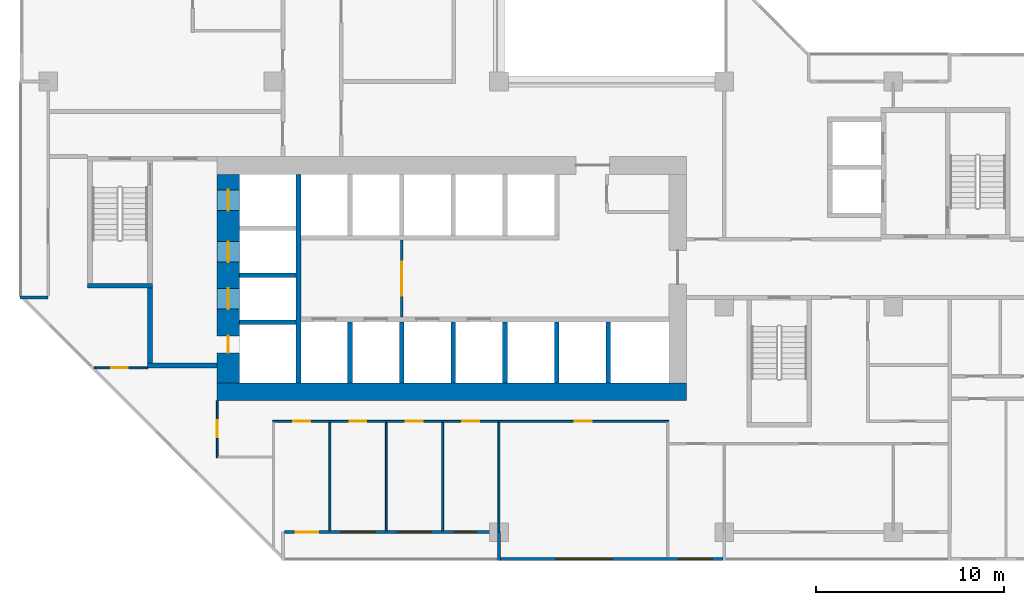
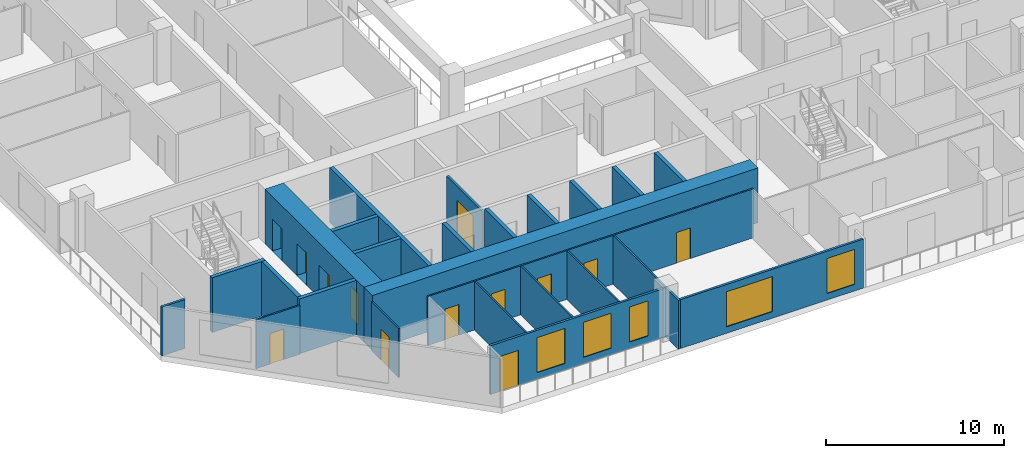
# One storey, part 4 of 15: 26 walls, 13 doors, 5 windows, 18 openings.
"""IFC4 building model written with IfcOpenShell, lengths in metres."""

from ifc_helpers import new_model, si_unit, direction, frame, frame_2d, origin, place, context, subcontext, project, spatial, rectangle, extrude, material, layer, layer_set, type_object, element, fill, save


model = new_model("IFC4")

# Units and contexts
model_context = context("Model", 3, precision=1e-05, world=origin(), true_north=direction((0.0, 1.0)))
body_context = subcontext(model_context, "Body", "Model", "MODEL_VIEW")
ifc_project = project(units=[si_unit("LENGTHUNIT", "METRE"), si_unit("AREAUNIT", "SQUARE_METRE"), si_unit("VOLUMEUNIT", "CUBIC_METRE"), si_unit("PLANEANGLEUNIT", "RADIAN"), si_unit("MASSUNIT", "GRAM", prefix="KILO")], contexts=[model_context])

# Site, building, storey
site_placement = place(None, origin())
site = spatial("IfcSite", under=ifc_project, at=site_placement, CompositionType="ELEMENT")
building_placement = place(site_placement, origin())
building = spatial("IfcBuilding", under=site, at=building_placement, Name="Chenar Terraces", CompositionType="ELEMENT")
storey_placement = place(building_placement, frame((0.0, 0.0, 118.14990234375)))
storey = spatial("IfcBuildingStorey", under=building, at=storey_placement, Name="L27", CompositionType="ELEMENT", Elevation=118.14990234375)

# Wall, opening, door
ifc_material_1 = material(Name="Gypsum board on steel studs", Category="steel")
ifc_layer_1 = layer(ifc_material_1, 0.14990234375)
ifc_layer_set_1 = layer_set([ifc_layer_1], Name="Gypsum board on steel studs")
wall_type_1 = type_object("IfcWallType", Name="Core partition 150 gypsum board", PredefinedType="PARTITIONING", material=ifc_layer_set_1)
wall_1_placement = place(storey_placement, frame((18.824951171875, 11.449951171875, 0.0), z_axis=(0.0, 0.0, 1.0), x_axis=(0.0, 1.0, 0.0)))
wall_1 = element("IfcWall", 1, at=wall_1_placement, inside=storey, type_object=wall_type_1, Name="Core partition CP1 lift lobby smoke stop", PredefinedType="PARTITIONING", context=body_context, shape_type="SweptSolid", body=[
    extrude(rectangle(XDim=4.10009765625, YDim=0.14990234375, at=frame_2d((2.050048828125, 0.0))), origin(), (0.0, 0.0, 1.0), 3.35009765625),
])
opening_1_placement = place(wall_1_placement, frame((1.14990234375, 0.0, 0.0)))
opening_1 = element("IfcOpeningElement", 2, at=opening_1_placement, cuts=wall_1, Name="Opening DL27-C12", PredefinedType="OPENING", context=body_context, shape_type="SweptSolid", body=[
    extrude(rectangle(XDim=1.800048828125, YDim=2.39990234375, at=frame_2d((0.89990234375, 1.199951171875))), frame((0.0, 0.0849609375, 0.0), z_axis=(0.0, -1.0, 0.0), x_axis=(1.0, 0.0, 0.0)), (0.0, 0.0, 1.0), 0.169921875),
])
ifc_material_2 = material(Name="Steel-framed fire-resisting door leaf", Category="steel")
door_type_1 = type_object("IfcDoorType", Name="Core entrance double fire door FD60 1800 x 2400", OperationType="DOUBLE_DOOR_SINGLE_SWING", PredefinedType="DOOR", material=ifc_material_2)
door_1_placement = place(opening_1_placement, origin())
door_1 = element("IfcDoor", 3, at=door_1_placement, inside=storey, type_object=door_type_1, Name="Core door DL27-C12", OperationType="DOUBLE_DOOR_SINGLE_SWING", OverallHeight=2.39990234375, OverallWidth=1.800048828125, PredefinedType="DOOR", context=body_context, shape_type="SweptSolid", body=[
    extrude(rectangle(XDim=1.800048828125, YDim=2.39990234375, at=frame_2d((0.89990234375, 1.199951171875))), frame((0.0, 0.02490234375, 0.0), z_axis=(0.0, -1.0, 0.0), x_axis=(1.0, 0.0, 0.0)), (0.0, 0.0, 1.0), 0.050048828125),
])
fill(opening_1, door_1)

# Wall, openings, doors
ifc_material_3 = material(Name="Concrete C70/85", Category="concrete")
ifc_layer_2 = layer(ifc_material_3, 1.199951171875)
ifc_layer_set_2 = layer_set([ifc_layer_2], Name="Concrete C70/85")
wall_type_2 = type_object("IfcWallType", Name="Core wall 1200 Concrete C70/85", PredefinedType="SHEAR", material=ifc_layer_set_2)
wall_2_placement = place(storey_placement, frame((9.60009765625, 7.949951171875, 0.0), z_axis=(0.0, 0.0, 1.0), x_axis=(0.0, 1.0, 0.0)))
wall_2 = element("IfcWall", 4, at=wall_2_placement, inside=storey, type_object=wall_type_2, Name="Core wall W L27", PredefinedType="SHEAR", context=body_context, shape_type="SweptSolid", body=[
    extrude(rectangle(XDim=11.10009765625, YDim=1.199951171875, at=frame_2d((5.550048828125, 0.0))), origin(), (0.0, 0.0, 1.0), 3.75),
])
opening_2_placement = place(wall_2_placement, frame((3.925048828125, 0.0, 0.0)))
opening_2 = element("IfcOpeningElement", 5, at=opening_2_placement, cuts=wall_2, Name="Opening DL27-LD5", PredefinedType="OPENING", context=body_context, shape_type="SweptSolid", body=[
    extrude(rectangle(XDim=1.10009765625, YDim=2.199951171875, at=frame_2d((0.550048828125, 1.10009765625))), frame((0.0, 0.60986328125, 0.0), z_axis=(0.0, -1.0, 0.0), x_axis=(1.0, 0.0, 0.0)), (0.0, 0.0, 1.0), 1.219970703125),
])
opening_3_placement = place(wall_2_placement, frame((6.425048828125, 0.0, 0.0)))
opening_3 = element("IfcOpeningElement", 6, at=opening_3_placement, cuts=wall_2, Name="Opening DL27-LD6", PredefinedType="OPENING", context=body_context, shape_type="SweptSolid", body=[
    extrude(rectangle(XDim=1.10009765625, YDim=2.199951171875, at=frame_2d((0.550048828125, 1.10009765625))), frame((0.0, 0.60986328125, 0.0), z_axis=(0.0, -1.0, 0.0), x_axis=(1.0, 0.0, 0.0)), (0.0, 0.0, 1.0), 1.219970703125),
])
opening_4_placement = place(wall_2_placement, frame((9.175048828125, 0.0, 0.0)))
opening_4 = element("IfcOpeningElement", 7, at=opening_4_placement, cuts=wall_2, Name="Opening DL27-LD7", PredefinedType="OPENING", context=body_context, shape_type="SweptSolid", body=[
    extrude(rectangle(XDim=1.10009765625, YDim=2.199951171875, at=frame_2d((0.550048828125, 1.10009765625))), frame((0.0, 0.60986328125, 0.0), z_axis=(0.0, -1.0, 0.0), x_axis=(1.0, 0.0, 0.0)), (0.0, 0.0, 1.0), 1.219970703125),
])
opening_5_placement = place(wall_2_placement, frame((1.60009765625, 0.0, 0.0)))
opening_5 = element("IfcOpeningElement", 8, at=opening_5_placement, cuts=wall_2, Name="Opening DL27-C4", PredefinedType="OPENING", context=body_context, shape_type="SweptSolid", body=[
    extrude(rectangle(XDim=0.89990234375, YDim=2.10009765625, at=frame_2d((0.449951171875, 1.050048828125))), frame((0.0, 0.60986328125, 0.0), z_axis=(0.0, -1.0, 0.0), x_axis=(1.0, 0.0, 0.0)), (0.0, 0.0, 1.0), 1.219970703125),
])
ifc_material_4 = material(Name="Stainless steel", Category="steel")
door_type_2 = type_object("IfcDoorType", Name="Lift landing door 1100 x 2200 sliding", OperationType="DOUBLE_DOOR_SLIDING", PredefinedType="DOOR", material=ifc_material_4)
door_2_placement = place(opening_2_placement, origin())
door_2 = element("IfcDoor", 9, at=door_2_placement, inside=storey, type_object=door_type_2, Name="Landing door S1", OperationType="DOUBLE_DOOR_SLIDING", OverallHeight=2.199951171875, OverallWidth=1.10009765625, PredefinedType="DOOR", context=body_context, shape_type="SweptSolid", body=[
    extrude(rectangle(XDim=1.10009765625, YDim=2.199951171875, at=frame_2d((0.550048828125, 1.10009765625))), frame((0.0, 0.02490234375, 0.0), z_axis=(0.0, -1.0, 0.0), x_axis=(1.0, 0.0, 0.0)), (0.0, 0.0, 1.0), 0.050048828125),
])
fill(opening_2, door_2)
door_3_placement = place(opening_3_placement, origin())
door_3 = element("IfcDoor", 10, at=door_3_placement, inside=storey, type_object=door_type_2, Name="Landing door F1", OperationType="DOUBLE_DOOR_SLIDING", OverallHeight=2.199951171875, OverallWidth=1.10009765625, PredefinedType="DOOR", context=body_context, shape_type="SweptSolid", body=[
    extrude(rectangle(XDim=1.10009765625, YDim=2.199951171875, at=frame_2d((0.550048828125, 1.10009765625))), frame((0.0, 0.02490234375, 0.0), z_axis=(0.0, -1.0, 0.0), x_axis=(1.0, 0.0, 0.0)), (0.0, 0.0, 1.0), 0.050048828125),
])
fill(opening_3, door_3)
door_4_placement = place(opening_4_placement, origin())
door_4 = element("IfcDoor", 11, at=door_4_placement, inside=storey, type_object=door_type_2, Name="Landing door F2", OperationType="DOUBLE_DOOR_SLIDING", OverallHeight=2.199951171875, OverallWidth=1.10009765625, PredefinedType="DOOR", context=body_context, shape_type="SweptSolid", body=[
    extrude(rectangle(XDim=1.10009765625, YDim=2.199951171875, at=frame_2d((0.550048828125, 1.10009765625))), frame((0.0, 0.02490234375, 0.0), z_axis=(0.0, -1.0, 0.0), x_axis=(1.0, 0.0, 0.0)), (0.0, 0.0, 1.0), 0.050048828125),
])
fill(opening_4, door_4)
ifc_material_5 = material(Name="Steel-framed fire-resisting door leaf", Category="steel")
door_type_3 = type_object("IfcDoorType", Name="Riser fire door FD60 900 x 2100", OperationType="SINGLE_SWING_LEFT", PredefinedType="DOOR", material=ifc_material_5)
door_5_placement = place(opening_5_placement, frame((0.89990234375, 0.0, 0.0), z_axis=(0.0, 0.0, 1.0), x_axis=(-1.0, 0.0, 0.0)))
door_5 = element("IfcDoor", 12, at=door_5_placement, inside=storey, type_object=door_type_3, Name="Riser door DL27-C4", OperationType="SINGLE_SWING_LEFT", OverallHeight=2.10009765625, OverallWidth=0.89990234375, PredefinedType="DOOR", context=body_context, shape_type="SweptSolid", body=[
    extrude(rectangle(XDim=0.89990234375, YDim=2.10009765625, at=frame_2d((0.449951171875, 1.050048828125))), frame((0.0, 0.02490234375, 0.0), z_axis=(0.0, -1.0, 0.0), x_axis=(1.0, 0.0, 0.0)), (0.0, 0.0, 1.0), 0.050048828125),
])
fill(opening_5, door_5)

# Walls
ifc_material_6 = material(Name="Concrete C70/85", Category="concrete")
ifc_layer_3 = layer(ifc_material_6, 0.25)
ifc_layer_set_3 = layer_set([ifc_layer_3], Name="Concrete C70/85")
wall_type_3 = type_object("IfcWallType", Name="Core wall 250 Concrete C70/85", PredefinedType="SHEAR", material=ifc_layer_set_3)
wall_3_placement = place(storey_placement, frame((13.324951171875, 7.949951171875, 0.0), z_axis=(0.0, 0.0, 1.0), x_axis=(0.0, 1.0, 0.0)))
element("IfcWall", 13, at=wall_3_placement, inside=storey, type_object=wall_type_3, Name="Core wall WI L27", PredefinedType="SHEAR", context=body_context, shape_type="SweptSolid", body=[
    extrude(rectangle(XDim=11.10009765625, YDim=0.25, at=frame_2d((5.550048828125, 0.0))), origin(), (0.0, 0.0, 1.0), 3.75),
])
for number, where, z_axis, x_axis, name in (
    (14, (10.199951171875, 11.175048828125, 0.0), (0.0, 0.0, 1.0), (1.0, 0.0, 0.0), "Core wall HW0 L27"),
    (15, (10.199951171875, 13.675048828125, 0.0), (0.0, 0.0, 1.0), (1.0, 0.0, 0.0), "Core wall HW1 L27"),
):
    element("IfcWall", number, at=place(storey_placement, frame(where, z_axis=z_axis, x_axis=x_axis)), inside=storey, type_object=wall_type_3, Name=name, PredefinedType="SHEAR", context=body_context, shape_type="SweptSolid", body=[
        extrude(rectangle(XDim=3.0, YDim=0.25, at=frame_2d((1.5, 0.0))), origin(), (0.0, 0.0, 1.0), 3.75),
    ])
for number, where, z_axis, x_axis, name in (
    (16, (16.074951171875, 7.949951171875, 0.0), (0.0, 0.0, 1.0), (0.0, 1.0, 0.0), "Core wall SS0 L27"),
    (17, (18.824951171875, 7.949951171875, 0.0), (0.0, 0.0, 1.0), (0.0, 1.0, 0.0), "Core wall SS1 L27"),
    (18, (21.574951171875, 7.949951171875, 0.0), (0.0, 0.0, 1.0), (0.0, 1.0, 0.0), "Core wall SS2 L27"),
    (19, (24.324951171875, 7.949951171875, 0.0), (0.0, 0.0, 1.0), (0.0, 1.0, 0.0), "Core wall SS3 L27"),
    (20, (27.074951171875, 7.949951171875, 0.0), (0.0, 0.0, 1.0), (0.0, 1.0, 0.0), "Core wall SS4 L27"),
    (21, (29.824951171875, 7.949951171875, 0.0), (0.0, 0.0, 1.0), (0.0, 1.0, 0.0), "Core wall SS5 L27"),
):
    element("IfcWall", number, at=place(storey_placement, frame(where, z_axis=z_axis, x_axis=x_axis)), inside=storey, type_object=wall_type_3, Name=name, PredefinedType="SHEAR", context=body_context, shape_type="SweptSolid", body=[
        extrude(rectangle(XDim=3.25, YDim=0.25, at=frame_2d((1.625, 0.0))), origin(), (0.0, 0.0, 1.0), 3.75),
    ])
wall_4_placement = place(storey_placement, frame((2.10009765625, 13.125, 0.0), z_axis=(0.0, 0.0, 1.0), x_axis=(1.0, 0.0, 0.0)))
element("IfcWall", 22, at=wall_4_placement, inside=storey, type_object=wall_type_3, Name="Core wall ST1_S L27", PredefinedType="SHEAR", context=body_context, shape_type="SweptSolid", body=[
    extrude(rectangle(XDim=3.449951171875, YDim=0.25, at=frame_2d((1.72509765625, 0.0))), origin(), (0.0, 0.0, 1.0), 3.75),
])
wall_5_placement = place(storey_placement, frame((5.300048828125, 8.875, 0.0), z_axis=(0.0, 0.0, 1.0), x_axis=(1.0, 0.0, 0.0)))
element("IfcWall", 23, at=wall_5_placement, inside=storey, type_object=wall_type_3, Name="Core wall FFL_S L27", PredefinedType="SHEAR", context=body_context, shape_type="SweptSolid", body=[
    extrude(rectangle(XDim=3.699951171875, YDim=0.25, at=frame_2d((1.85009765625, 0.0))), origin(), (0.0, 0.0, 1.0), 3.75),
])
wall_6_placement = place(storey_placement, frame((5.425048828125, 9.0, 0.0), z_axis=(0.0, 0.0, 1.0), x_axis=(0.0, 1.0, 0.0)))
element("IfcWall", 24, at=wall_6_placement, inside=storey, type_object=wall_type_3, Name="Core wall FFL_W L27", PredefinedType="SHEAR", context=body_context, shape_type="SweptSolid", body=[
    extrude(rectangle(XDim=4.0, YDim=0.25, at=frame_2d((2.0, 0.0))), origin(), (0.0, 0.0, 1.0), 3.75),
])
ifc_material_7 = material(Name="Concrete C70/85", Category="concrete")
ifc_layer_4 = layer(ifc_material_7, 0.949951171875)
ifc_layer_set_4 = layer_set([ifc_layer_4], Name="Concrete C70/85")
wall_type_4 = type_object("IfcWallType", Name="Core wall 950 Concrete C70/85", PredefinedType="SHEAR", material=ifc_layer_set_4)
wall_7_placement = place(storey_placement, frame((9.0, 7.47509765625, 0.0), z_axis=(0.0, 0.0, 1.0), x_axis=(1.0, 0.0, 0.0)))
element("IfcWall", 25, at=wall_7_placement, inside=storey, type_object=wall_type_4, Name="Core wall S L27", PredefinedType="SHEAR", context=body_context, shape_type="SweptSolid", body=[
    extrude(rectangle(XDim=25.0, YDim=0.949951171875, at=frame_2d((12.5, 0.0))), origin(), (0.0, 0.0, 1.0), 3.75),
])

# Wall, openings, windows
ifc_material_8 = material(Name="Aluminium framed glazing", Category="aluminium")
ifc_layer_5 = layer(ifc_material_8, 0.14990234375)
ifc_layer_set_5 = layer_set([ifc_layer_5], Name="Aluminium framed glazing")
wall_type_5 = type_object("IfcWallType", Name="Glazed flush facade wall 150", PredefinedType="SOLIDWALL", material=ifc_layer_set_5)
wall_8_placement = place(storey_placement, frame((24.074951171875, -1.425048828125, 0.0), z_axis=(0.0, 0.0, 1.0), x_axis=(1.0, 0.0, 0.0)))
wall_8 = element("IfcWall", 26, at=wall_8_placement, inside=storey, type_object=wall_type_5, Name="Glazed flush facade wall", PredefinedType="SOLIDWALL", context=body_context, shape_type="SweptSolid", body=[
    extrude(rectangle(XDim=11.85009765625, YDim=0.14990234375, at=frame_2d((5.925048828125, 0.0))), origin(), (0.0, 0.0, 1.0), 3.35009765625),
])
opening_6_placement = place(wall_8_placement, frame((2.96240234375, 0.0, 0.449951171875)))
opening_6 = element("IfcOpeningElement", 27, at=opening_6_placement, cuts=wall_8, Name="Opening W300x240", PredefinedType="OPENING", context=body_context, shape_type="SweptSolid", body=[
    extrude(rectangle(XDim=3.0, YDim=2.39990234375, at=frame_2d((1.5, 1.199951171875))), frame((0.0, 0.0849609375, 0.0), z_axis=(0.0, -1.0, 0.0), x_axis=(1.0, 0.0, 0.0)), (0.0, 0.0, 1.0), 0.169921875),
])
opening_7_placement = place(wall_8_placement, frame((9.487548828125, 0.0, 0.449951171875)))
opening_7 = element("IfcOpeningElement", 28, at=opening_7_placement, cuts=wall_8, Name="Opening W180x240", PredefinedType="OPENING", context=body_context, shape_type="SweptSolid", body=[
    extrude(rectangle(XDim=1.800048828125, YDim=2.39990234375, at=frame_2d((0.89990234375, 1.199951171875))), frame((0.0, 0.0849609375, 0.0), z_axis=(0.0, -1.0, 0.0), x_axis=(1.0, 0.0, 0.0)), (0.0, 0.0, 1.0), 0.169921875),
])
ifc_material_9 = material(Name="Low emissivity double glazing, aluminium frame", Category="aluminium")
window_type_1 = type_object("IfcWindowType", Name="Fixed light 1800 x 2400", PartitioningType="SINGLE_PANEL", PredefinedType="WINDOW", material=ifc_material_9)
window_1_placement = place(opening_7_placement, origin())
window_1 = element("IfcWindow", 29, at=window_1_placement, inside=storey, type_object=window_type_1, Name="Window", OverallHeight=2.39990234375, OverallWidth=1.800048828125, PartitioningType="SINGLE_PANEL", PredefinedType="WINDOW", context=body_context, shape_type="SweptSolid", body=[
    extrude(rectangle(XDim=1.800048828125, YDim=2.39990234375, at=frame_2d((0.89990234375, 1.199951171875))), frame((0.0, 0.030029296875, 0.0), z_axis=(0.0, -1.0, 0.0), x_axis=(1.0, 0.0, 0.0)), (0.0, 0.0, 1.0), 0.06005859375),
])
fill(opening_7, window_1)
ifc_material_10 = material(Name="Low emissivity double glazing, aluminium frame", Category="aluminium")
window_type_2 = type_object("IfcWindowType", Name="Fixed light 3000 x 2400", PartitioningType="SINGLE_PANEL", PredefinedType="WINDOW", material=ifc_material_10)
window_2_placement = place(opening_6_placement, origin())
window_2 = element("IfcWindow", 30, at=window_2_placement, inside=storey, type_object=window_type_2, Name="Window", OverallHeight=2.39990234375, OverallWidth=3.0, PartitioningType="SINGLE_PANEL", PredefinedType="WINDOW", context=body_context, shape_type="SweptSolid", body=[
    extrude(rectangle(XDim=3.0, YDim=2.39990234375, at=frame_2d((1.5, 1.199951171875))), frame((0.0, 0.030029296875, 0.0), z_axis=(0.0, -1.0, 0.0), x_axis=(1.0, 0.0, 0.0)), (0.0, 0.0, 1.0), 0.06005859375),
])
fill(opening_6, window_2)

# Wall, openings, windows, door
ifc_material_11 = material(Name="Aluminium framed glazing", Category="aluminium")
ifc_layer_6 = layer(ifc_material_11, 0.14990234375)
ifc_layer_set_6 = layer_set([ifc_layer_6], Name="Aluminium framed glazing")
wall_type_6 = type_object("IfcWallType", Name="Glazed loggia back wall 150", PredefinedType="SOLIDWALL", material=ifc_layer_set_6)
wall_9_placement = place(storey_placement, frame((12.574951171875, 0.0, 0.0), z_axis=(0.0, 0.0, 1.0), x_axis=(1.0, 0.0, 0.0)))
wall_9 = element("IfcWall", 31, at=wall_9_placement, inside=storey, type_object=wall_type_6, Name="Glazed loggia back wall", PredefinedType="SOLIDWALL", context=body_context, shape_type="SweptSolid", body=[
    extrude(rectangle(XDim=11.35009765625, YDim=0.14990234375, at=frame_2d((5.675048828125, 0.0))), origin(), (0.0, 0.0, 1.0), 3.35009765625),
])
opening_8_placement = place(wall_9_placement, frame((0.612548828125, 0.0, 0.0)))
opening_8 = element("IfcOpeningElement", 32, at=opening_8_placement, cuts=wall_9, Name="Opening DL27-G6", PredefinedType="OPENING", context=body_context, shape_type="SweptSolid", body=[
    extrude(rectangle(XDim=1.199951171875, YDim=2.39990234375, at=frame_2d((0.60009765625, 1.199951171875))), frame((0.0, 0.0849609375, 0.0), z_axis=(0.0, -1.0, 0.0), x_axis=(1.0, 0.0, 0.0)), (0.0, 0.0, 1.0), 0.169921875),
])
opening_9_placement = place(wall_9_placement, frame((3.02490234375, 0.0, 0.449951171875)))
opening_9 = element("IfcOpeningElement", 33, at=opening_9_placement, cuts=wall_9, Name="Opening W180x240", PredefinedType="OPENING", context=body_context, shape_type="SweptSolid", body=[
    extrude(rectangle(XDim=1.800048828125, YDim=2.39990234375, at=frame_2d((0.89990234375, 1.199951171875))), frame((0.0, 0.0849609375, 0.0), z_axis=(0.0, -1.0, 0.0), x_axis=(1.0, 0.0, 0.0)), (0.0, 0.0, 1.0), 0.169921875),
])
opening_10_placement = place(wall_9_placement, frame((6.02490234375, 0.0, 0.449951171875)))
opening_10 = element("IfcOpeningElement", 34, at=opening_10_placement, cuts=wall_9, Name="Opening W180x240", PredefinedType="OPENING", context=body_context, shape_type="SweptSolid", body=[
    extrude(rectangle(XDim=1.800048828125, YDim=2.39990234375, at=frame_2d((0.89990234375, 1.199951171875))), frame((0.0, 0.0849609375, 0.0), z_axis=(0.0, -1.0, 0.0), x_axis=(1.0, 0.0, 0.0)), (0.0, 0.0, 1.0), 0.169921875),
])
opening_11_placement = place(wall_9_placement, frame((9.02490234375, 0.0, 0.449951171875)))
opening_11 = element("IfcOpeningElement", 35, at=opening_11_placement, cuts=wall_9, Name="Opening W120x240", PredefinedType="OPENING", context=body_context, shape_type="SweptSolid", body=[
    extrude(rectangle(XDim=1.199951171875, YDim=2.39990234375, at=frame_2d((0.60009765625, 1.199951171875))), frame((0.0, 0.0849609375, 0.0), z_axis=(0.0, -1.0, 0.0), x_axis=(1.0, 0.0, 0.0)), (0.0, 0.0, 1.0), 0.169921875),
])
ifc_material_12 = material(Name="Low emissivity double glazing, aluminium frame", Category="aluminium")
window_type_3 = type_object("IfcWindowType", Name="Fixed light 1200 x 2400", PartitioningType="SINGLE_PANEL", PredefinedType="WINDOW", material=ifc_material_12)
window_3_placement = place(opening_11_placement, origin())
window_3 = element("IfcWindow", 36, at=window_3_placement, inside=storey, type_object=window_type_3, Name="Window", OverallHeight=2.39990234375, OverallWidth=1.199951171875, PartitioningType="SINGLE_PANEL", PredefinedType="WINDOW", context=body_context, shape_type="SweptSolid", body=[
    extrude(rectangle(XDim=1.199951171875, YDim=2.39990234375, at=frame_2d((0.60009765625, 1.199951171875))), frame((0.0, 0.030029296875, 0.0), z_axis=(0.0, -1.0, 0.0), x_axis=(1.0, 0.0, 0.0)), (0.0, 0.0, 1.0), 0.06005859375),
])
fill(opening_11, window_3)
window_4_placement = place(opening_9_placement, origin())
window_4 = element("IfcWindow", 37, at=window_4_placement, inside=storey, type_object=window_type_1, Name="Window", OverallHeight=2.39990234375, OverallWidth=1.800048828125, PartitioningType="SINGLE_PANEL", PredefinedType="WINDOW", context=body_context, shape_type="SweptSolid", body=[
    extrude(rectangle(XDim=1.800048828125, YDim=2.39990234375, at=frame_2d((0.89990234375, 1.199951171875))), frame((0.0, 0.030029296875, 0.0), z_axis=(0.0, -1.0, 0.0), x_axis=(1.0, 0.0, 0.0)), (0.0, 0.0, 1.0), 0.06005859375),
])
fill(opening_9, window_4)
window_5_placement = place(opening_10_placement, origin())
window_5 = element("IfcWindow", 38, at=window_5_placement, inside=storey, type_object=window_type_1, Name="Window", OverallHeight=2.39990234375, OverallWidth=1.800048828125, PartitioningType="SINGLE_PANEL", PredefinedType="WINDOW", context=body_context, shape_type="SweptSolid", body=[
    extrude(rectangle(XDim=1.800048828125, YDim=2.39990234375, at=frame_2d((0.89990234375, 1.199951171875))), frame((0.0, 0.030029296875, 0.0), z_axis=(0.0, -1.0, 0.0), x_axis=(1.0, 0.0, 0.0)), (0.0, 0.0, 1.0), 0.06005859375),
])
fill(opening_10, window_5)
ifc_material_13 = material(Name="Low emissivity double glazing, aluminium frame", Category="aluminium")
door_type_4 = type_object("IfcDoorType", Name="Loggia glazed double door 1200 x 2400", OperationType="DOUBLE_DOOR_SINGLE_SWING", PredefinedType="DOOR", material=ifc_material_13)
door_6_placement = place(opening_8_placement, frame((1.199951171875, 0.0, 0.0), z_axis=(0.0, 0.0, 1.0), x_axis=(-1.0, 0.0, 0.0)))
door_6 = element("IfcDoor", 39, at=door_6_placement, inside=storey, type_object=door_type_4, Name="Loggia glazed door", OperationType="DOUBLE_DOOR_SINGLE_SWING", OverallHeight=2.39990234375, OverallWidth=1.199951171875, PredefinedType="DOOR", context=body_context, shape_type="SweptSolid", body=[
    extrude(rectangle(XDim=1.199951171875, YDim=2.39990234375, at=frame_2d((0.60009765625, 1.199951171875))), frame((0.0, 0.02490234375, 0.0), z_axis=(0.0, -1.0, 0.0), x_axis=(1.0, 0.0, 0.0)), (0.0, 0.0, 1.0), 0.050048828125),
])
fill(opening_8, door_6)

# Wall, opening, door
ifc_material_14 = material(Name="Gypsum board on steel studs", Category="steel")
ifc_layer_7 = layer(ifc_material_14, 0.10009765625)
ifc_layer_set_7 = layer_set([ifc_layer_7], Name="Gypsum board on steel studs")
wall_type_7 = type_object("IfcWallType", Name="Gypsum partition 100", PredefinedType="PARTITIONING", material=ifc_layer_set_7)
wall_10_placement = place(storey_placement, frame((2.4609375, 8.75, 0.0), z_axis=(0.0, 0.0, 1.0), x_axis=(1.0, 0.0, 0.0)))
wall_10 = element("IfcWall", 40, at=wall_10_placement, inside=storey, type_object=wall_type_7, Name="Partition L27-011", PredefinedType="PARTITIONING", context=body_context, shape_type="SweptSolid", body=[
    extrude(rectangle(XDim=2.839111328125, YDim=0.10009765625, at=frame_2d((1.41943359375, 0.0))), origin(), (0.0, 0.0, 1.0), 3.35009765625),
])
opening_12_placement = place(wall_10_placement, frame((0.888916015625, 0.0, 0.0)))
opening_12 = element("IfcOpeningElement", 41, at=opening_12_placement, cuts=wall_10, Name="Opening DL27-65", PredefinedType="OPENING", context=body_context, shape_type="SweptSolid", body=[
    extrude(rectangle(XDim=0.89990234375, YDim=2.10009765625, at=frame_2d((0.449951171875, 1.050048828125))), frame((0.0, 0.06005859375, 0.0), z_axis=(0.0, -1.0, 0.0), x_axis=(1.0, 0.0, 0.0)), (0.0, 0.0, 1.0), 0.1201171875),
])
ifc_material_15 = material(Name="Veneered timber door leaf", Category="wood")
door_type_5 = type_object("IfcDoorType", Name="Door 900 x 2100", OperationType="SINGLE_SWING_LEFT", PredefinedType="DOOR", material=ifc_material_15)
door_7_placement = place(opening_12_placement, frame((0.89990234375, 0.0, 0.0), z_axis=(0.0, 0.0, 1.0), x_axis=(-1.0, 0.0, 0.0)))
door_7 = element("IfcDoor", 42, at=door_7_placement, inside=storey, type_object=door_type_5, Name="Door DL27-65", OperationType="SINGLE_SWING_RIGHT", OverallHeight=2.10009765625, OverallWidth=0.89990234375, PredefinedType="DOOR", context=body_context, shape_type="SweptSolid", body=[
    extrude(rectangle(XDim=0.89990234375, YDim=2.10009765625, at=frame_2d((0.449951171875, 1.050048828125))), frame((0.0, 0.02490234375, 0.0), z_axis=(0.0, -1.0, 0.0), x_axis=(1.0, 0.0, 0.0)), (0.0, 0.0, 1.0), 0.050048828125),
])
fill(opening_12, door_7)

wall_11_placement = place(storey_placement, frame((9.0, 3.949951171875, 0.0), z_axis=(0.0, 0.0, 1.0), x_axis=(0.0, 1.0, 0.0)))
wall_11 = element("IfcWall", 43, at=wall_11_placement, inside=storey, type_object=wall_type_7, Name="Partition L27-028", PredefinedType="PARTITIONING", context=body_context, shape_type="SweptSolid", body=[
    extrude(rectangle(XDim=3.050048828125, YDim=0.10009765625, at=frame_2d((1.52490234375, 0.0))), origin(), (0.0, 0.0, 1.0), 3.35009765625),
])
opening_13_placement = place(wall_11_placement, frame((1.10009765625, 0.0, 0.0)))
opening_13 = element("IfcOpeningElement", 44, at=opening_13_placement, cuts=wall_11, Name="Opening DL27-64", PredefinedType="OPENING", context=body_context, shape_type="SweptSolid", body=[
    extrude(rectangle(XDim=0.89990234375, YDim=2.10009765625, at=frame_2d((0.449951171875, 1.050048828125))), frame((0.0, 0.06005859375, 0.0), z_axis=(0.0, -1.0, 0.0), x_axis=(1.0, 0.0, 0.0)), (0.0, 0.0, 1.0), 0.1201171875),
])
door_8_placement = place(opening_13_placement, origin())
door_8 = element("IfcDoor", 45, at=door_8_placement, inside=storey, type_object=door_type_5, Name="Door DL27-64", OperationType="SINGLE_SWING_LEFT", OverallHeight=2.10009765625, OverallWidth=0.89990234375, PredefinedType="DOOR", context=body_context, shape_type="SweptSolid", body=[
    extrude(rectangle(XDim=0.89990234375, YDim=2.10009765625, at=frame_2d((0.449951171875, 1.050048828125))), frame((0.0, 0.02490234375, 0.0), z_axis=(0.0, -1.0, 0.0), x_axis=(1.0, 0.0, 0.0)), (0.0, 0.0, 1.0), 0.050048828125),
])
fill(opening_13, door_8)

# Wall, openings, doors
wall_12_placement = place(storey_placement, frame((11.949951171875, 5.89990234375, 0.0), z_axis=(0.0, 0.0, 1.0), x_axis=(1.0, 0.0, 0.0)))
wall_12 = element("IfcWall", 46, at=wall_12_placement, inside=storey, type_object=wall_type_7, Name="Partition L27-030", PredefinedType="PARTITIONING", context=body_context, shape_type="SweptSolid", body=[
    extrude(rectangle(XDim=21.10009765625, YDim=0.10009765625, at=frame_2d((10.550048828125, 0.0))), origin(), (0.0, 0.0, 1.0), 3.35009765625),
])
opening_14_placement = place(wall_12_placement, frame((1.10009765625, 0.0, 0.0)))
opening_14 = element("IfcOpeningElement", 47, at=opening_14_placement, cuts=wall_12, Name="Opening DL27-58", PredefinedType="OPENING", context=body_context, shape_type="SweptSolid", body=[
    extrude(rectangle(XDim=0.89990234375, YDim=2.10009765625, at=frame_2d((0.449951171875, 1.050048828125))), frame((0.0, 0.06005859375, 0.0), z_axis=(0.0, -1.0, 0.0), x_axis=(1.0, 0.0, 0.0)), (0.0, 0.0, 1.0), 0.1201171875),
])
opening_15_placement = place(wall_12_placement, frame((4.10009765625, 0.0, 0.0)))
opening_15 = element("IfcOpeningElement", 48, at=opening_15_placement, cuts=wall_12, Name="Opening DL27-59", PredefinedType="OPENING", context=body_context, shape_type="SweptSolid", body=[
    extrude(rectangle(XDim=0.89990234375, YDim=2.10009765625, at=frame_2d((0.449951171875, 1.050048828125))), frame((0.0, 0.06005859375, 0.0), z_axis=(0.0, -1.0, 0.0), x_axis=(1.0, 0.0, 0.0)), (0.0, 0.0, 1.0), 0.1201171875),
])
opening_16_placement = place(wall_12_placement, frame((7.10009765625, 0.0, 0.0)))
opening_16 = element("IfcOpeningElement", 49, at=opening_16_placement, cuts=wall_12, Name="Opening DL27-60", PredefinedType="OPENING", context=body_context, shape_type="SweptSolid", body=[
    extrude(rectangle(XDim=0.89990234375, YDim=2.10009765625, at=frame_2d((0.449951171875, 1.050048828125))), frame((0.0, 0.06005859375, 0.0), z_axis=(0.0, -1.0, 0.0), x_axis=(1.0, 0.0, 0.0)), (0.0, 0.0, 1.0), 0.1201171875),
])
opening_17_placement = place(wall_12_placement, frame((10.10009765625, 0.0, 0.0)))
opening_17 = element("IfcOpeningElement", 50, at=opening_17_placement, cuts=wall_12, Name="Opening DL27-61", PredefinedType="OPENING", context=body_context, shape_type="SweptSolid", body=[
    extrude(rectangle(XDim=0.89990234375, YDim=2.10009765625, at=frame_2d((0.449951171875, 1.050048828125))), frame((0.0, 0.06005859375, 0.0), z_axis=(0.0, -1.0, 0.0), x_axis=(1.0, 0.0, 0.0)), (0.0, 0.0, 1.0), 0.1201171875),
])
opening_18_placement = place(wall_12_placement, frame((16.10009765625, 0.0, 0.0)))
opening_18 = element("IfcOpeningElement", 51, at=opening_18_placement, cuts=wall_12, Name="Opening DL27-68", PredefinedType="OPENING", context=body_context, shape_type="SweptSolid", body=[
    extrude(rectangle(XDim=0.89990234375, YDim=2.10009765625, at=frame_2d((0.449951171875, 1.050048828125))), frame((0.0, 0.06005859375, 0.0), z_axis=(0.0, -1.0, 0.0), x_axis=(1.0, 0.0, 0.0)), (0.0, 0.0, 1.0), 0.1201171875),
])
door_9_placement = place(opening_14_placement, frame((0.89990234375, 0.0, 0.0), z_axis=(0.0, 0.0, 1.0), x_axis=(-1.0, 0.0, 0.0)))
door_9 = element("IfcDoor", 52, at=door_9_placement, inside=storey, type_object=door_type_5, Name="Door DL27-58", OperationType="SINGLE_SWING_RIGHT", OverallHeight=2.10009765625, OverallWidth=0.89990234375, PredefinedType="DOOR", context=body_context, shape_type="SweptSolid", body=[
    extrude(rectangle(XDim=0.89990234375, YDim=2.10009765625, at=frame_2d((0.449951171875, 1.050048828125))), frame((0.0, 0.02490234375, 0.0), z_axis=(0.0, -1.0, 0.0), x_axis=(1.0, 0.0, 0.0)), (0.0, 0.0, 1.0), 0.050048828125),
])
fill(opening_14, door_9)
door_10_placement = place(opening_15_placement, frame((0.89990234375, 0.0, 0.0), z_axis=(0.0, 0.0, 1.0), x_axis=(-1.0, 0.0, 0.0)))
door_10 = element("IfcDoor", 53, at=door_10_placement, inside=storey, type_object=door_type_5, Name="Door DL27-59", OperationType="SINGLE_SWING_RIGHT", OverallHeight=2.10009765625, OverallWidth=0.89990234375, PredefinedType="DOOR", context=body_context, shape_type="SweptSolid", body=[
    extrude(rectangle(XDim=0.89990234375, YDim=2.10009765625, at=frame_2d((0.449951171875, 1.050048828125))), frame((0.0, 0.02490234375, 0.0), z_axis=(0.0, -1.0, 0.0), x_axis=(1.0, 0.0, 0.0)), (0.0, 0.0, 1.0), 0.050048828125),
])
fill(opening_15, door_10)
door_11_placement = place(opening_16_placement, frame((0.89990234375, 0.0, 0.0), z_axis=(0.0, 0.0, 1.0), x_axis=(-1.0, 0.0, 0.0)))
door_11 = element("IfcDoor", 54, at=door_11_placement, inside=storey, type_object=door_type_5, Name="Door DL27-60", OperationType="SINGLE_SWING_RIGHT", OverallHeight=2.10009765625, OverallWidth=0.89990234375, PredefinedType="DOOR", context=body_context, shape_type="SweptSolid", body=[
    extrude(rectangle(XDim=0.89990234375, YDim=2.10009765625, at=frame_2d((0.449951171875, 1.050048828125))), frame((0.0, 0.02490234375, 0.0), z_axis=(0.0, -1.0, 0.0), x_axis=(1.0, 0.0, 0.0)), (0.0, 0.0, 1.0), 0.050048828125),
])
fill(opening_16, door_11)
door_12_placement = place(opening_17_placement, frame((0.89990234375, 0.0, 0.0), z_axis=(0.0, 0.0, 1.0), x_axis=(-1.0, 0.0, 0.0)))
door_12 = element("IfcDoor", 55, at=door_12_placement, inside=storey, type_object=door_type_5, Name="Door DL27-61", OperationType="SINGLE_SWING_RIGHT", OverallHeight=2.10009765625, OverallWidth=0.89990234375, PredefinedType="DOOR", context=body_context, shape_type="SweptSolid", body=[
    extrude(rectangle(XDim=0.89990234375, YDim=2.10009765625, at=frame_2d((0.449951171875, 1.050048828125))), frame((0.0, 0.02490234375, 0.0), z_axis=(0.0, -1.0, 0.0), x_axis=(1.0, 0.0, 0.0)), (0.0, 0.0, 1.0), 0.050048828125),
])
fill(opening_17, door_12)
door_13_placement = place(opening_18_placement, frame((0.89990234375, 0.0, 0.0), z_axis=(0.0, 0.0, 1.0), x_axis=(-1.0, 0.0, 0.0)))
door_13 = element("IfcDoor", 56, at=door_13_placement, inside=storey, type_object=door_type_5, Name="Door DL27-68", OperationType="SINGLE_SWING_RIGHT", OverallHeight=2.10009765625, OverallWidth=0.89990234375, PredefinedType="DOOR", context=body_context, shape_type="SweptSolid", body=[
    extrude(rectangle(XDim=0.89990234375, YDim=2.10009765625, at=frame_2d((0.449951171875, 1.050048828125))), frame((0.0, 0.02490234375, 0.0), z_axis=(0.0, -1.0, 0.0), x_axis=(1.0, 0.0, 0.0)), (0.0, 0.0, 1.0), 0.050048828125),
])
fill(opening_18, door_13)

# Walls
for number, where, z_axis, x_axis, name in (
    (57, (15.0, 0.073974609375, 0.0), (0.0, 0.0, 1.0), (0.0, 1.0, 0.0), "Partition L27-033"),
    (58, (18.0, 0.073974609375, 0.0), (0.0, 0.0, 1.0), (0.0, 1.0, 0.0), "Partition L27-045"),
    (59, (21.0, 0.073974609375, 0.0), (0.0, 0.0, 1.0), (0.0, 1.0, 0.0), "Partition L27-055"),
):
    element("IfcWall", number, at=place(storey_placement, frame(where, z_axis=z_axis, x_axis=x_axis)), inside=storey, type_object=wall_type_7, Name=name, PredefinedType="PARTITIONING", context=body_context, shape_type="SweptSolid", body=[
        extrude(rectangle(XDim=5.776123046875, YDim=0.10009765625, at=frame_2d((2.88818359375, 0.0))), origin(), (0.0, 0.0, 1.0), 3.35009765625),
    ])
wall_13_placement = place(storey_placement, frame((24.0, 0.0, 0.0), z_axis=(0.0, 0.0, 1.0), x_axis=(0.0, 1.0, 0.0)))
element("IfcWall", 60, at=wall_13_placement, inside=storey, type_object=wall_type_7, Name="Partition L27-057", PredefinedType="PARTITIONING", context=body_context, shape_type="SweptSolid", body=[
    extrude(rectangle(XDim=5.85009765625, YDim=0.10009765625, at=frame_2d((2.925048828125, 0.0))), origin(), (0.0, 0.0, 1.0), 3.35009765625),
])
ifc_material_16 = material(Name="Terracotta cladding on insulated backing", Category="masonry")
ifc_layer_8 = layer(ifc_material_16, 0.14990234375)
ifc_layer_set_8 = layer_set([ifc_layer_8], Name="Terracotta cladding on insulated backing")
wall_type_8 = type_object("IfcWallType", Name="Loggia return wall 150", PredefinedType="SOLIDWALL", material=ifc_layer_set_8)
for number, where, z_axis, x_axis, name in (
    (61, (-1.5, 12.5, 0.0), (0.0, 0.0, 1.0), (1.0, 0.0, 0.0), "Loggia return wall"),
    (62, (24.0, -1.5, 0.0), (0.0, 0.0, 1.0), (0.0, 1.0, 0.0), "Loggia return wall"),
):
    element("IfcWall", number, at=place(storey_placement, frame(where, z_axis=z_axis, x_axis=x_axis)), inside=storey, type_object=wall_type_8, Name=name, PredefinedType="SOLIDWALL", context=body_context, shape_type="SweptSolid", body=[
        extrude(rectangle(XDim=1.5, YDim=0.14990234375, at=frame_2d((0.75, 0.0))), origin(), (0.0, 0.0, 1.0), 3.35009765625),
    ])

save(model, "model.ifc")
